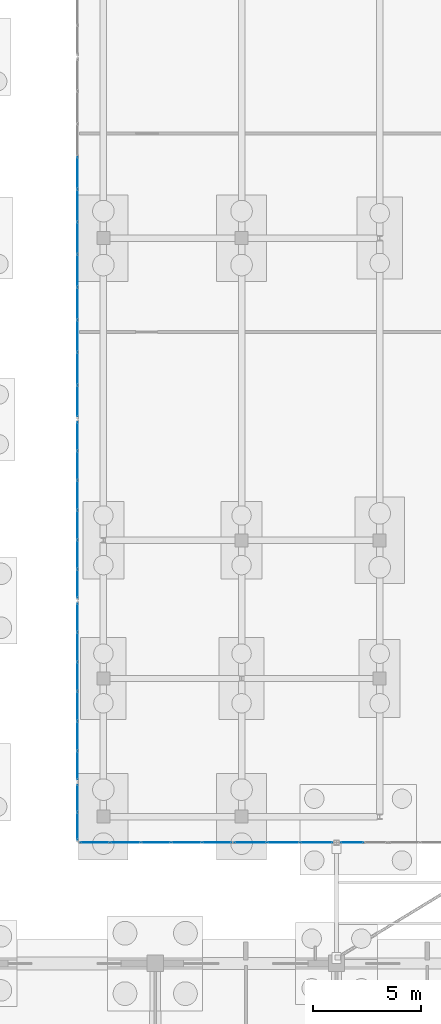
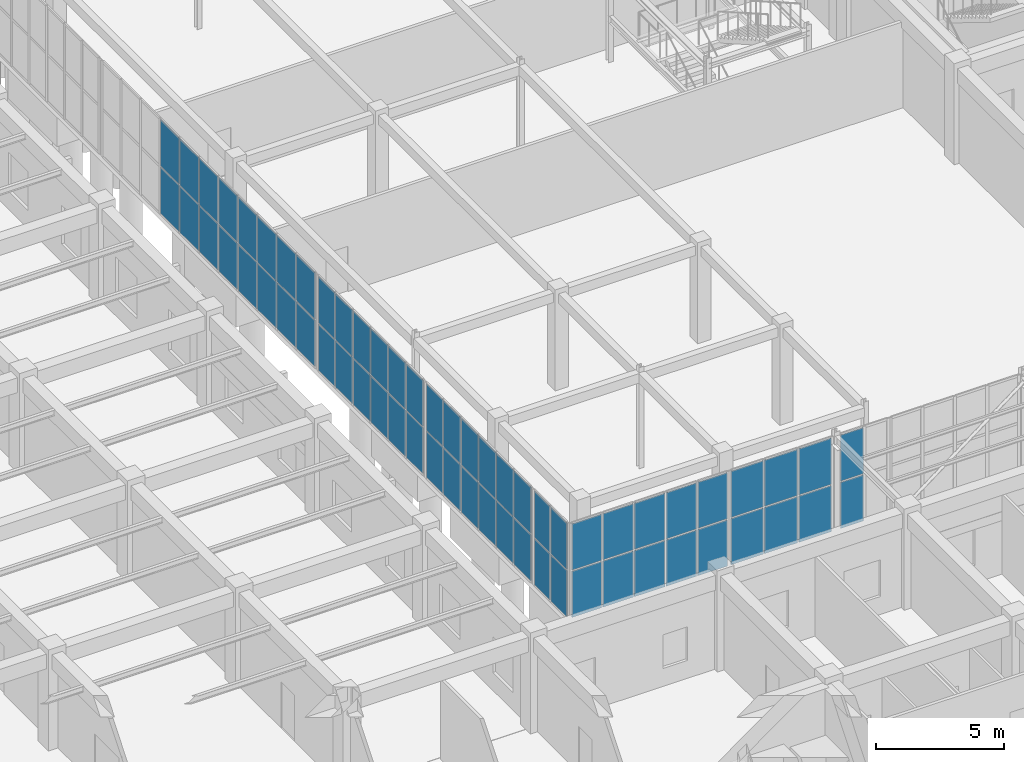
# One storey, part 136 of 192: 62 plates, 7 elements without a shape of their own.
"""IFC4 building model written with IfcOpenShell, lengths in metres."""

from ifc_helpers import new_model, si_unit, direction, frame, origin, origin_2d, place, context, subcontext, project, spatial, rectangle, extrude, material, layer, layer_set, type_object, element, aggregate, save


model = new_model("IFC4")

# Units and contexts
model_context = context("Model", 3, precision=1e-05, world=origin(), true_north=direction((0.0, 1.0)))
body_context = subcontext(model_context, "Body", "Model", "MODEL_VIEW")
ifc_project = project(units=[si_unit("LENGTHUNIT", "METRE"), si_unit("AREAUNIT", "SQUARE_METRE"), si_unit("VOLUMEUNIT", "CUBIC_METRE"), si_unit("PLANEANGLEUNIT", "RADIAN"), si_unit("MASSUNIT", "GRAM", prefix="KILO")], contexts=[model_context])

# Site, building, storey
site_placement = place(None, origin())
site = spatial("IfcSite", under=ifc_project, at=site_placement, CompositionType="ELEMENT")
building_placement = place(site_placement, origin())
building = spatial("IfcBuilding", under=site, at=building_placement, Name="Trelvath General Hospital", CompositionType="ELEMENT")
storey_placement = place(building_placement, origin())
storey = spatial("IfcBuildingStorey", under=building, at=storey_placement, Name="L00", CompositionType="ELEMENT", Elevation=0.0)

# Curtain wall, plates
ifc_material_1 = material(Name="Anodised aluminium and low-E glass", Category="aluminium")
ifc_layer_1 = layer(ifc_material_1, 0.139892578125)
ifc_layer_set_1 = layer_set([ifc_layer_1], Name="Anodised aluminium and low-E glass")
curtain_wall_type_1 = type_object("IfcCurtainWallType", Name="CW CrystalCube 710 456 14", PredefinedType="USERDEFINED", material=ifc_layer_set_1)
curtain_wall_1_placement = place(storey_placement, origin())
curtain_wall_1 = element("IfcCurtainWall", 1, at=curtain_wall_1_placement, inside=storey, type_object=curtain_wall_type_1, Name="Crystal Cube Curtain Wall CUBE-W-T0 S1 L00", ObjectType="Unitised Glazed Curtain Wall", PredefinedType="USERDEFINED")
ifc_material_2 = material(Name="Low-E laminated glass", Category="glass")
ifc_layer_2 = layer(ifc_material_2, 0.028076171875)
ifc_layer_set_2 = layer_set([ifc_layer_2], Name="Low-E laminated glass")
plate_type = type_object("IfcPlateType", Name="CurtainPanel Glass28", PredefinedType="CURTAIN_PANEL", material=ifc_layer_set_2)
plate_1_placement = place(storey_placement, frame((53.2548828125, 30.800048828125, 0.06005859375), z_axis=(0.0, 0.0, 1.0), x_axis=(-1.0, 0.0, 0.0)))
plate_1 = element("IfcPlate", 2, at=plate_1_placement, type_object=plate_type, Name="CW-084 panel 1.1", PredefinedType="CURTAIN_PANEL", context=body_context, shape_type="SweptSolid", body=[
    extrude(rectangle(XDim=1.330078125, YDim=0.028076171875, at=origin_2d()), origin(), (0.0, 0.0, 1.0), 2.18994140625),
])
plate_2_placement = place(storey_placement, frame((53.2548828125, 30.800048828125, 2.31005859375), z_axis=(0.0, 0.0, 1.0), x_axis=(-1.0, 0.0, 0.0)))
plate_2 = element("IfcPlate", 3, at=plate_2_placement, type_object=plate_type, Name="CW-084 panel 1.2", PredefinedType="CURTAIN_PANEL", context=body_context, shape_type="SweptSolid", body=[
    extrude(rectangle(XDim=1.330078125, YDim=0.028076171875, at=origin_2d()), origin(), (0.0, 0.0, 1.0), 2.18994140625),
])
plate_3_placement = place(storey_placement, frame((51.85009765625, 30.800048828125, 0.06005859375), z_axis=(0.0, 0.0, 1.0), x_axis=(-1.0, 0.0, 0.0)))
plate_3 = element("IfcPlate", 4, at=plate_3_placement, type_object=plate_type, Name="CW-084 panel 2.1", PredefinedType="CURTAIN_PANEL", context=body_context, shape_type="SweptSolid", body=[
    extrude(rectangle(XDim=1.360107421875, YDim=0.028076171875, at=origin_2d()), origin(), (0.0, 0.0, 1.0), 2.18994140625),
])
plate_4_placement = place(storey_placement, frame((51.85009765625, 30.800048828125, 2.31005859375), z_axis=(0.0, 0.0, 1.0), x_axis=(-1.0, 0.0, 0.0)))
plate_4 = element("IfcPlate", 5, at=plate_4_placement, type_object=plate_type, Name="CW-084 panel 2.2", PredefinedType="CURTAIN_PANEL", context=body_context, shape_type="SweptSolid", body=[
    extrude(rectangle(XDim=1.360107421875, YDim=0.028076171875, at=origin_2d()), origin(), (0.0, 0.0, 1.0), 2.18994140625),
])
plate_5_placement = place(storey_placement, frame((50.429931640625, 30.800048828125, 0.06005859375), z_axis=(0.0, 0.0, 1.0), x_axis=(-1.0, 0.0, 0.0)))
plate_5 = element("IfcPlate", 6, at=plate_5_placement, type_object=plate_type, Name="CW-084 panel 3.1", PredefinedType="CURTAIN_PANEL", context=body_context, shape_type="SweptSolid", body=[
    extrude(rectangle(XDim=1.360107421875, YDim=0.028076171875, at=origin_2d()), origin(), (0.0, 0.0, 1.0), 2.18994140625),
])
plate_6_placement = place(storey_placement, frame((50.429931640625, 30.800048828125, 2.31005859375), z_axis=(0.0, 0.0, 1.0), x_axis=(-1.0, 0.0, 0.0)))
plate_6 = element("IfcPlate", 7, at=plate_6_placement, type_object=plate_type, Name="CW-084 panel 3.2", PredefinedType="CURTAIN_PANEL", context=body_context, shape_type="SweptSolid", body=[
    extrude(rectangle(XDim=1.360107421875, YDim=0.028076171875, at=origin_2d()), origin(), (0.0, 0.0, 1.0), 2.18994140625),
])
plate_7_placement = place(storey_placement, frame((49.010009765625, 30.800048828125, 0.06005859375), z_axis=(0.0, 0.0, 1.0), x_axis=(-1.0, 0.0, 0.0)))
plate_7 = element("IfcPlate", 8, at=plate_7_placement, type_object=plate_type, Name="CW-084 panel 4.1", PredefinedType="CURTAIN_PANEL", context=body_context, shape_type="SweptSolid", body=[
    extrude(rectangle(XDim=1.360107421875, YDim=0.028076171875, at=origin_2d()), origin(), (0.0, 0.0, 1.0), 2.18994140625),
])
plate_8_placement = place(storey_placement, frame((49.010009765625, 30.800048828125, 2.31005859375), z_axis=(0.0, 0.0, 1.0), x_axis=(-1.0, 0.0, 0.0)))
plate_8 = element("IfcPlate", 9, at=plate_8_placement, type_object=plate_type, Name="CW-084 panel 4.2", PredefinedType="CURTAIN_PANEL", context=body_context, shape_type="SweptSolid", body=[
    extrude(rectangle(XDim=1.360107421875, YDim=0.028076171875, at=origin_2d()), origin(), (0.0, 0.0, 1.0), 2.18994140625),
])
plate_9_placement = place(storey_placement, frame((47.60498046875, 30.800048828125, 0.06005859375), z_axis=(0.0, 0.0, 1.0), x_axis=(-1.0, 0.0, 0.0)))
plate_9 = element("IfcPlate", 10, at=plate_9_placement, type_object=plate_type, Name="CW-084 panel 5.1", PredefinedType="CURTAIN_PANEL", context=body_context, shape_type="SweptSolid", body=[
    extrude(rectangle(XDim=1.330078125, YDim=0.028076171875, at=origin_2d()), origin(), (0.0, 0.0, 1.0), 2.18994140625),
])
plate_10_placement = place(storey_placement, frame((47.60498046875, 30.800048828125, 2.31005859375), z_axis=(0.0, 0.0, 1.0), x_axis=(-1.0, 0.0, 0.0)))
plate_10 = element("IfcPlate", 11, at=plate_10_placement, type_object=plate_type, Name="CW-084 panel 5.2", PredefinedType="CURTAIN_PANEL", context=body_context, shape_type="SweptSolid", body=[
    extrude(rectangle(XDim=1.330078125, YDim=0.028076171875, at=origin_2d()), origin(), (0.0, 0.0, 1.0), 2.18994140625),
])
aggregate(curtain_wall_1, [plate_1, plate_2, plate_3, plate_4, plate_5, plate_6, plate_7, plate_8, plate_9, plate_10])

ifc_material_3 = material(Name="Anodised aluminium and low-E glass", Category="aluminium")
ifc_layer_3 = layer(ifc_material_3, 0.139892578125)
ifc_layer_set_3 = layer_set([ifc_layer_3], Name="Anodised aluminium and low-E glass")
curtain_wall_type_2 = type_object("IfcCurtainWallType", Name="CW CrystalCube 463 456 14", PredefinedType="USERDEFINED", material=ifc_layer_set_3)
curtain_wall_2_placement = place(storey_placement, origin())
curtain_wall_2 = element("IfcCurtainWall", 12, at=curtain_wall_2_placement, inside=storey, type_object=curtain_wall_type_2, Name="Crystal Cube Curtain Wall CUBE-W-T0 S2 L00", ObjectType="Unitised Glazed Curtain Wall", PredefinedType="USERDEFINED")
plate_11_placement = place(storey_placement, frame((57.86328125, 30.800048828125, 0.06005859375), z_axis=(0.0, 0.0, 1.0), x_axis=(-1.0, 0.0, 0.0)))
plate_11 = element("IfcPlate", 13, at=plate_11_placement, type_object=plate_type, Name="CW-085 panel 1.1", PredefinedType="CURTAIN_PANEL", context=body_context, shape_type="SweptSolid", body=[
    extrude(rectangle(XDim=1.453369140625, YDim=0.028076171875, at=origin_2d()), origin(), (0.0, 0.0, 1.0), 2.18994140625),
])
plate_12_placement = place(storey_placement, frame((57.86328125, 30.800048828125, 2.31005859375), z_axis=(0.0, 0.0, 1.0), x_axis=(-1.0, 0.0, 0.0)))
plate_12 = element("IfcPlate", 14, at=plate_12_placement, type_object=plate_type, Name="CW-085 panel 1.2", PredefinedType="CURTAIN_PANEL", context=body_context, shape_type="SweptSolid", body=[
    extrude(rectangle(XDim=1.453369140625, YDim=0.028076171875, at=origin_2d()), origin(), (0.0, 0.0, 1.0), 2.18994140625),
])
plate_13_placement = place(storey_placement, frame((56.3349609375, 30.800048828125, 0.06005859375), z_axis=(0.0, 0.0, 1.0), x_axis=(-1.0, 0.0, 0.0)))
plate_13 = element("IfcPlate", 15, at=plate_13_placement, type_object=plate_type, Name="CW-085 panel 2.1", PredefinedType="CURTAIN_PANEL", context=body_context, shape_type="SweptSolid", body=[
    extrude(rectangle(XDim=1.4833984375, YDim=0.028076171875, at=origin_2d()), origin(), (0.0, 0.0, 1.0), 2.18994140625),
])
plate_14_placement = place(storey_placement, frame((56.3349609375, 30.800048828125, 2.31005859375), z_axis=(0.0, 0.0, 1.0), x_axis=(-1.0, 0.0, 0.0)))
plate_14 = element("IfcPlate", 16, at=plate_14_placement, type_object=plate_type, Name="CW-085 panel 2.2", PredefinedType="CURTAIN_PANEL", context=body_context, shape_type="SweptSolid", body=[
    extrude(rectangle(XDim=1.4833984375, YDim=0.028076171875, at=origin_2d()), origin(), (0.0, 0.0, 1.0), 2.18994140625),
])
plate_15_placement = place(storey_placement, frame((54.806640625, 30.800048828125, 0.06005859375), z_axis=(0.0, 0.0, 1.0), x_axis=(-1.0, 0.0, 0.0)))
plate_15 = element("IfcPlate", 17, at=plate_15_placement, type_object=plate_type, Name="CW-085 panel 3.1", PredefinedType="CURTAIN_PANEL", context=body_context, shape_type="SweptSolid", body=[
    extrude(rectangle(XDim=1.453369140625, YDim=0.028076171875, at=origin_2d()), origin(), (0.0, 0.0, 1.0), 2.18994140625),
])
plate_16_placement = place(storey_placement, frame((54.806640625, 30.800048828125, 2.31005859375), z_axis=(0.0, 0.0, 1.0), x_axis=(-1.0, 0.0, 0.0)))
plate_16 = element("IfcPlate", 18, at=plate_16_placement, type_object=plate_type, Name="CW-085 panel 3.2", PredefinedType="CURTAIN_PANEL", context=body_context, shape_type="SweptSolid", body=[
    extrude(rectangle(XDim=1.453369140625, YDim=0.028076171875, at=origin_2d()), origin(), (0.0, 0.0, 1.0), 2.18994140625),
])
aggregate(curtain_wall_2, [plate_11, plate_12, plate_13, plate_14, plate_15, plate_16])

ifc_material_4 = material(Name="Anodised aluminium and low-E glass", Category="aluminium")
ifc_layer_4 = layer(ifc_material_4, 0.139892578125)
ifc_layer_set_4 = layer_set([ifc_layer_4], Name="Anodised aluminium and low-E glass")
curtain_wall_type_3 = type_object("IfcCurtainWallType", Name="CW CrystalCube 223 456 14", PredefinedType="USERDEFINED", material=ifc_layer_set_4)
curtain_wall_3_placement = place(storey_placement, origin())
curtain_wall_3 = element("IfcCurtainWall", 19, at=curtain_wall_3_placement, inside=storey, type_object=curtain_wall_type_3, Name="Crystal Cube Curtain Wall CUBE-W-T0 S3 L00", ObjectType="Unitised Glazed Curtain Wall", PredefinedType="USERDEFINED")
plate_17_placement = place(storey_placement, frame((59.5224609375, 30.800048828125, 0.06005859375), z_axis=(0.0, 0.0, 1.0), x_axis=(-1.0, 0.0, 0.0)))
plate_17 = element("IfcPlate", 20, at=plate_17_placement, type_object=plate_type, Name="CW-086 panel 2.1", PredefinedType="CURTAIN_PANEL", context=body_context, shape_type="SweptSolid", body=[
    extrude(rectangle(XDim=1.02490234375, YDim=0.028076171875, at=origin_2d()), origin(), (0.0, 0.0, 1.0), 2.18994140625),
])
plate_18_placement = place(storey_placement, frame((59.5224609375, 30.800048828125, 2.31005859375), z_axis=(0.0, 0.0, 1.0), x_axis=(-1.0, 0.0, 0.0)))
plate_18 = element("IfcPlate", 21, at=plate_18_placement, type_object=plate_type, Name="CW-086 panel 2.2", PredefinedType="CURTAIN_PANEL", context=body_context, shape_type="SweptSolid", body=[
    extrude(rectangle(XDim=1.02490234375, YDim=0.028076171875, at=origin_2d()), origin(), (0.0, 0.0, 1.0), 2.18994140625),
])
aggregate(curtain_wall_3, [plate_17, plate_18])

ifc_material_5 = material(Name="Anodised aluminium and low-E glass", Category="aluminium")
ifc_layer_5 = layer(ifc_material_5, 0.139892578125)
ifc_layer_set_5 = layer_set([ifc_layer_5], Name="Anodised aluminium and low-E glass")
curtain_wall_type_4 = type_object("IfcCurtainWallType", Name="CW CrystalCube 264 456 14", PredefinedType="USERDEFINED", material=ifc_layer_set_5)
curtain_wall_4_placement = place(storey_placement, origin())
curtain_wall_4 = element("IfcCurtainWall", 22, at=curtain_wall_4_placement, inside=storey, type_object=curtain_wall_type_4, Name="Crystal Cube Curtain Wall CUBE-W-T0 W1 L00", ObjectType="Unitised Glazed Curtain Wall", PredefinedType="USERDEFINED")
plate_19_placement = place(storey_placement, frame((46.800048828125, 31.554931640625, 0.06005859375), z_axis=(0.0, 0.0, 1.0), x_axis=(0.0, 1.0, 0.0)))
plate_19 = element("IfcPlate", 23, at=plate_19_placement, type_object=plate_type, Name="CW-094 panel 1.1", PredefinedType="CURTAIN_PANEL", context=body_context, shape_type="SweptSolid", body=[
    extrude(rectangle(XDim=1.22998046875, YDim=0.028076171875, at=origin_2d()), origin(), (0.0, 0.0, 1.0), 2.18994140625),
])
plate_20_placement = place(storey_placement, frame((46.800048828125, 31.554931640625, 2.31005859375), z_axis=(0.0, 0.0, 1.0), x_axis=(0.0, 1.0, 0.0)))
plate_20 = element("IfcPlate", 24, at=plate_20_placement, type_object=plate_type, Name="CW-094 panel 1.2", PredefinedType="CURTAIN_PANEL", context=body_context, shape_type="SweptSolid", body=[
    extrude(rectangle(XDim=1.22998046875, YDim=0.028076171875, at=origin_2d()), origin(), (0.0, 0.0, 1.0), 2.18994140625),
])
plate_21_placement = place(storey_placement, frame((46.800048828125, 32.844970703125, 0.06005859375), z_axis=(0.0, 0.0, 1.0), x_axis=(0.0, 1.0, 0.0)))
plate_21 = element("IfcPlate", 25, at=plate_21_placement, type_object=plate_type, Name="CW-094 panel 2.1", PredefinedType="CURTAIN_PANEL", context=body_context, shape_type="SweptSolid", body=[
    extrude(rectangle(XDim=1.22998046875, YDim=0.028076171875, at=origin_2d()), origin(), (0.0, 0.0, 1.0), 2.18994140625),
])
plate_22_placement = place(storey_placement, frame((46.800048828125, 32.844970703125, 2.31005859375), z_axis=(0.0, 0.0, 1.0), x_axis=(0.0, 1.0, 0.0)))
plate_22 = element("IfcPlate", 26, at=plate_22_placement, type_object=plate_type, Name="CW-094 panel 2.2", PredefinedType="CURTAIN_PANEL", context=body_context, shape_type="SweptSolid", body=[
    extrude(rectangle(XDim=1.22998046875, YDim=0.028076171875, at=origin_2d()), origin(), (0.0, 0.0, 1.0), 2.18994140625),
])
aggregate(curtain_wall_4, [plate_19, plate_20, plate_21, plate_22])

ifc_material_6 = material(Name="Anodised aluminium and low-E glass", Category="aluminium")
ifc_layer_6 = layer(ifc_material_6, 0.139892578125)
ifc_layer_set_6 = layer_set([ifc_layer_6], Name="Anodised aluminium and low-E glass")
curtain_wall_type_5 = type_object("IfcCurtainWallType", Name="CW CrystalCube 824 456 14", PredefinedType="USERDEFINED", material=ifc_layer_set_6)
curtain_wall_5_placement = place(storey_placement, origin())
curtain_wall_5 = element("IfcCurtainWall", 27, at=curtain_wall_5_placement, inside=storey, type_object=curtain_wall_type_5, Name="Crystal Cube Curtain Wall CUBE-W-T0 W2 L00", ObjectType="Unitised Glazed Curtain Wall", PredefinedType="USERDEFINED")
plate_23_placement = place(storey_placement, frame((46.800048828125, 34.381591796875, 0.06005859375), z_axis=(0.0, 0.0, 1.0), x_axis=(0.0, 1.0, 0.0)))
plate_23 = element("IfcPlate", 28, at=plate_23_placement, type_object=plate_type, Name="CW-096 panel 1.1", PredefinedType="CURTAIN_PANEL", context=body_context, shape_type="SweptSolid", body=[
    extrude(rectangle(XDim=1.283447265625, YDim=0.028076171875, at=origin_2d()), origin(), (0.0, 0.0, 1.0), 2.18994140625),
])
plate_24_placement = place(storey_placement, frame((46.800048828125, 34.381591796875, 2.31005859375), z_axis=(0.0, 0.0, 1.0), x_axis=(0.0, 1.0, 0.0)))
plate_24 = element("IfcPlate", 29, at=plate_24_placement, type_object=plate_type, Name="CW-096 panel 1.2", PredefinedType="CURTAIN_PANEL", context=body_context, shape_type="SweptSolid", body=[
    extrude(rectangle(XDim=1.283447265625, YDim=0.028076171875, at=origin_2d()), origin(), (0.0, 0.0, 1.0), 2.18994140625),
])
plate_25_placement = place(storey_placement, frame((46.800048828125, 35.739990234375, 0.06005859375), z_axis=(0.0, 0.0, 1.0), x_axis=(0.0, 1.0, 0.0)))
plate_25 = element("IfcPlate", 30, at=plate_25_placement, type_object=plate_type, Name="CW-096 panel 2.1", PredefinedType="CURTAIN_PANEL", context=body_context, shape_type="SweptSolid", body=[
    extrude(rectangle(XDim=1.313232421875, YDim=0.028076171875, at=origin_2d()), origin(), (0.0, 0.0, 1.0), 2.18994140625),
])
plate_26_placement = place(storey_placement, frame((46.800048828125, 35.739990234375, 2.31005859375), z_axis=(0.0, 0.0, 1.0), x_axis=(0.0, 1.0, 0.0)))
plate_26 = element("IfcPlate", 31, at=plate_26_placement, type_object=plate_type, Name="CW-096 panel 2.2", PredefinedType="CURTAIN_PANEL", context=body_context, shape_type="SweptSolid", body=[
    extrude(rectangle(XDim=1.313232421875, YDim=0.028076171875, at=origin_2d()), origin(), (0.0, 0.0, 1.0), 2.18994140625),
])
plate_27_placement = place(storey_placement, frame((46.800048828125, 37.11328125, 0.06005859375), z_axis=(0.0, 0.0, 1.0), x_axis=(0.0, 1.0, 0.0)))
plate_27 = element("IfcPlate", 32, at=plate_27_placement, type_object=plate_type, Name="CW-096 panel 3.1", PredefinedType="CURTAIN_PANEL", context=body_context, shape_type="SweptSolid", body=[
    extrude(rectangle(XDim=1.313232421875, YDim=0.028076171875, at=origin_2d()), origin(), (0.0, 0.0, 1.0), 2.18994140625),
])
plate_28_placement = place(storey_placement, frame((46.800048828125, 37.11328125, 2.31005859375), z_axis=(0.0, 0.0, 1.0), x_axis=(0.0, 1.0, 0.0)))
plate_28 = element("IfcPlate", 33, at=plate_28_placement, type_object=plate_type, Name="CW-096 panel 3.2", PredefinedType="CURTAIN_PANEL", context=body_context, shape_type="SweptSolid", body=[
    extrude(rectangle(XDim=1.313232421875, YDim=0.028076171875, at=origin_2d()), origin(), (0.0, 0.0, 1.0), 2.18994140625),
])
plate_29_placement = place(storey_placement, frame((46.800048828125, 38.486572265625, 0.06005859375), z_axis=(0.0, 0.0, 1.0), x_axis=(0.0, 1.0, 0.0)))
plate_29 = element("IfcPlate", 34, at=plate_29_placement, type_object=plate_type, Name="CW-096 panel 4.1", PredefinedType="CURTAIN_PANEL", context=body_context, shape_type="SweptSolid", body=[
    extrude(rectangle(XDim=1.313232421875, YDim=0.028076171875, at=origin_2d()), origin(), (0.0, 0.0, 1.0), 2.18994140625),
])
plate_30_placement = place(storey_placement, frame((46.800048828125, 38.486572265625, 2.31005859375), z_axis=(0.0, 0.0, 1.0), x_axis=(0.0, 1.0, 0.0)))
plate_30 = element("IfcPlate", 35, at=plate_30_placement, type_object=plate_type, Name="CW-096 panel 4.2", PredefinedType="CURTAIN_PANEL", context=body_context, shape_type="SweptSolid", body=[
    extrude(rectangle(XDim=1.313232421875, YDim=0.028076171875, at=origin_2d()), origin(), (0.0, 0.0, 1.0), 2.18994140625),
])
plate_31_placement = place(storey_placement, frame((46.800048828125, 39.860107421875, 0.06005859375), z_axis=(0.0, 0.0, 1.0), x_axis=(0.0, 1.0, 0.0)))
plate_31 = element("IfcPlate", 36, at=plate_31_placement, type_object=plate_type, Name="CW-096 panel 5.1", PredefinedType="CURTAIN_PANEL", context=body_context, shape_type="SweptSolid", body=[
    extrude(rectangle(XDim=1.313232421875, YDim=0.028076171875, at=origin_2d()), origin(), (0.0, 0.0, 1.0), 2.18994140625),
])
plate_32_placement = place(storey_placement, frame((46.800048828125, 39.860107421875, 2.31005859375), z_axis=(0.0, 0.0, 1.0), x_axis=(0.0, 1.0, 0.0)))
plate_32 = element("IfcPlate", 37, at=plate_32_placement, type_object=plate_type, Name="CW-096 panel 5.2", PredefinedType="CURTAIN_PANEL", context=body_context, shape_type="SweptSolid", body=[
    extrude(rectangle(XDim=1.313232421875, YDim=0.028076171875, at=origin_2d()), origin(), (0.0, 0.0, 1.0), 2.18994140625),
])
plate_33_placement = place(storey_placement, frame((46.800048828125, 41.21826171875, 0.06005859375), z_axis=(0.0, 0.0, 1.0), x_axis=(0.0, 1.0, 0.0)))
plate_33 = element("IfcPlate", 38, at=plate_33_placement, type_object=plate_type, Name="CW-096 panel 6.1", PredefinedType="CURTAIN_PANEL", context=body_context, shape_type="SweptSolid", body=[
    extrude(rectangle(XDim=1.283447265625, YDim=0.028076171875, at=origin_2d()), origin(), (0.0, 0.0, 1.0), 2.18994140625),
])
plate_34_placement = place(storey_placement, frame((46.800048828125, 41.21826171875, 2.31005859375), z_axis=(0.0, 0.0, 1.0), x_axis=(0.0, 1.0, 0.0)))
plate_34 = element("IfcPlate", 39, at=plate_34_placement, type_object=plate_type, Name="CW-096 panel 6.2", PredefinedType="CURTAIN_PANEL", context=body_context, shape_type="SweptSolid", body=[
    extrude(rectangle(XDim=1.283447265625, YDim=0.028076171875, at=origin_2d()), origin(), (0.0, 0.0, 1.0), 2.18994140625),
])
aggregate(curtain_wall_5, [plate_23, plate_24, plate_25, plate_26, plate_27, plate_28, plate_29, plate_30, plate_31, plate_32, plate_33, plate_34])

curtain_wall_6_placement = place(storey_placement, origin())
curtain_wall_6 = element("IfcCurtainWall", 40, at=curtain_wall_6_placement, inside=storey, type_object=curtain_wall_type_5, Name="Crystal Cube Curtain Wall CUBE-W-T0 W3 L00", ObjectType="Unitised Glazed Curtain Wall", PredefinedType="USERDEFINED")
plate_35_placement = place(storey_placement, frame((46.800048828125, 42.78173828125, 0.06005859375), z_axis=(0.0, 0.0, 1.0), x_axis=(0.0, 1.0, 0.0)))
plate_35 = element("IfcPlate", 41, at=plate_35_placement, type_object=plate_type, Name="CW-098 panel 1.1", PredefinedType="CURTAIN_PANEL", context=body_context, shape_type="SweptSolid", body=[
    extrude(rectangle(XDim=1.283447265625, YDim=0.028076171875, at=origin_2d()), origin(), (0.0, 0.0, 1.0), 2.18994140625),
])
plate_36_placement = place(storey_placement, frame((46.800048828125, 42.78173828125, 2.31005859375), z_axis=(0.0, 0.0, 1.0), x_axis=(0.0, 1.0, 0.0)))
plate_36 = element("IfcPlate", 42, at=plate_36_placement, type_object=plate_type, Name="CW-098 panel 1.2", PredefinedType="CURTAIN_PANEL", context=body_context, shape_type="SweptSolid", body=[
    extrude(rectangle(XDim=1.283447265625, YDim=0.028076171875, at=origin_2d()), origin(), (0.0, 0.0, 1.0), 2.18994140625),
])
plate_37_placement = place(storey_placement, frame((46.800048828125, 44.139892578125, 0.06005859375), z_axis=(0.0, 0.0, 1.0), x_axis=(0.0, 1.0, 0.0)))
plate_37 = element("IfcPlate", 43, at=plate_37_placement, type_object=plate_type, Name="CW-098 panel 2.1", PredefinedType="CURTAIN_PANEL", context=body_context, shape_type="SweptSolid", body=[
    extrude(rectangle(XDim=1.313232421875, YDim=0.028076171875, at=origin_2d()), origin(), (0.0, 0.0, 1.0), 2.18994140625),
])
plate_38_placement = place(storey_placement, frame((46.800048828125, 44.139892578125, 2.31005859375), z_axis=(0.0, 0.0, 1.0), x_axis=(0.0, 1.0, 0.0)))
plate_38 = element("IfcPlate", 44, at=plate_38_placement, type_object=plate_type, Name="CW-098 panel 2.2", PredefinedType="CURTAIN_PANEL", context=body_context, shape_type="SweptSolid", body=[
    extrude(rectangle(XDim=1.313232421875, YDim=0.028076171875, at=origin_2d()), origin(), (0.0, 0.0, 1.0), 2.18994140625),
])
plate_39_placement = place(storey_placement, frame((46.800048828125, 45.513427734375, 0.06005859375), z_axis=(0.0, 0.0, 1.0), x_axis=(0.0, 1.0, 0.0)))
plate_39 = element("IfcPlate", 45, at=plate_39_placement, type_object=plate_type, Name="CW-098 panel 3.1", PredefinedType="CURTAIN_PANEL", context=body_context, shape_type="SweptSolid", body=[
    extrude(rectangle(XDim=1.313232421875, YDim=0.028076171875, at=origin_2d()), origin(), (0.0, 0.0, 1.0), 2.18994140625),
])
plate_40_placement = place(storey_placement, frame((46.800048828125, 45.513427734375, 2.31005859375), z_axis=(0.0, 0.0, 1.0), x_axis=(0.0, 1.0, 0.0)))
plate_40 = element("IfcPlate", 46, at=plate_40_placement, type_object=plate_type, Name="CW-098 panel 3.2", PredefinedType="CURTAIN_PANEL", context=body_context, shape_type="SweptSolid", body=[
    extrude(rectangle(XDim=1.313232421875, YDim=0.028076171875, at=origin_2d()), origin(), (0.0, 0.0, 1.0), 2.18994140625),
])
plate_41_placement = place(storey_placement, frame((46.800048828125, 46.88671875, 0.06005859375), z_axis=(0.0, 0.0, 1.0), x_axis=(0.0, 1.0, 0.0)))
plate_41 = element("IfcPlate", 47, at=plate_41_placement, type_object=plate_type, Name="CW-098 panel 4.1", PredefinedType="CURTAIN_PANEL", context=body_context, shape_type="SweptSolid", body=[
    extrude(rectangle(XDim=1.313232421875, YDim=0.028076171875, at=origin_2d()), origin(), (0.0, 0.0, 1.0), 2.18994140625),
])
plate_42_placement = place(storey_placement, frame((46.800048828125, 46.88671875, 2.31005859375), z_axis=(0.0, 0.0, 1.0), x_axis=(0.0, 1.0, 0.0)))
plate_42 = element("IfcPlate", 48, at=plate_42_placement, type_object=plate_type, Name="CW-098 panel 4.2", PredefinedType="CURTAIN_PANEL", context=body_context, shape_type="SweptSolid", body=[
    extrude(rectangle(XDim=1.313232421875, YDim=0.028076171875, at=origin_2d()), origin(), (0.0, 0.0, 1.0), 2.18994140625),
])
plate_43_placement = place(storey_placement, frame((46.800048828125, 48.260009765625, 0.06005859375), z_axis=(0.0, 0.0, 1.0), x_axis=(0.0, 1.0, 0.0)))
plate_43 = element("IfcPlate", 49, at=plate_43_placement, type_object=plate_type, Name="CW-098 panel 5.1", PredefinedType="CURTAIN_PANEL", context=body_context, shape_type="SweptSolid", body=[
    extrude(rectangle(XDim=1.313232421875, YDim=0.028076171875, at=origin_2d()), origin(), (0.0, 0.0, 1.0), 2.18994140625),
])
plate_44_placement = place(storey_placement, frame((46.800048828125, 48.260009765625, 2.31005859375), z_axis=(0.0, 0.0, 1.0), x_axis=(0.0, 1.0, 0.0)))
plate_44 = element("IfcPlate", 50, at=plate_44_placement, type_object=plate_type, Name="CW-098 panel 5.2", PredefinedType="CURTAIN_PANEL", context=body_context, shape_type="SweptSolid", body=[
    extrude(rectangle(XDim=1.313232421875, YDim=0.028076171875, at=origin_2d()), origin(), (0.0, 0.0, 1.0), 2.18994140625),
])
plate_45_placement = place(storey_placement, frame((46.800048828125, 49.618408203125, 0.06005859375), z_axis=(0.0, 0.0, 1.0), x_axis=(0.0, 1.0, 0.0)))
plate_45 = element("IfcPlate", 51, at=plate_45_placement, type_object=plate_type, Name="CW-098 panel 6.1", PredefinedType="CURTAIN_PANEL", context=body_context, shape_type="SweptSolid", body=[
    extrude(rectangle(XDim=1.283447265625, YDim=0.028076171875, at=origin_2d()), origin(), (0.0, 0.0, 1.0), 2.18994140625),
])
plate_46_placement = place(storey_placement, frame((46.800048828125, 49.618408203125, 2.31005859375), z_axis=(0.0, 0.0, 1.0), x_axis=(0.0, 1.0, 0.0)))
plate_46 = element("IfcPlate", 52, at=plate_46_placement, type_object=plate_type, Name="CW-098 panel 6.2", PredefinedType="CURTAIN_PANEL", context=body_context, shape_type="SweptSolid", body=[
    extrude(rectangle(XDim=1.283447265625, YDim=0.028076171875, at=origin_2d()), origin(), (0.0, 0.0, 1.0), 2.18994140625),
])
aggregate(curtain_wall_6, [plate_35, plate_36, plate_37, plate_38, plate_39, plate_40, plate_41, plate_42, plate_43, plate_44, plate_45, plate_46])

ifc_material_7 = material(Name="Anodised aluminium and low-E glass", Category="aluminium")
ifc_layer_7 = layer(ifc_material_7, 0.139892578125)
ifc_layer_set_7 = layer_set([ifc_layer_7], Name="Anodised aluminium and low-E glass")
curtain_wall_type_6 = type_object("IfcCurtainWallType", Name="CW CrystalCube 1664 456 14", PredefinedType="USERDEFINED", material=ifc_layer_set_7)
curtain_wall_7_placement = place(storey_placement, origin())
curtain_wall_7 = element("IfcCurtainWall", 53, at=curtain_wall_7_placement, inside=storey, type_object=curtain_wall_type_6, Name="Crystal Cube Curtain Wall CUBE-W-T0 W4 L00", ObjectType="Unitised Glazed Curtain Wall", PredefinedType="USERDEFINED")
plate_47_placement = place(storey_placement, frame((46.800048828125, 51.25146484375, 0.06005859375), z_axis=(0.0, 0.0, 1.0), x_axis=(0.0, 1.0, 0.0)))
plate_47 = element("IfcPlate", 54, at=plate_47_placement, type_object=plate_type, Name="CW-099 panel 1.1", PredefinedType="CURTAIN_PANEL", context=body_context, shape_type="SweptSolid", body=[
    extrude(rectangle(XDim=1.422607421875, YDim=0.028076171875, at=origin_2d()), origin(), (0.0, 0.0, 1.0), 2.18994140625),
])
plate_48_placement = place(storey_placement, frame((46.800048828125, 51.25146484375, 2.31005859375), z_axis=(0.0, 0.0, 1.0), x_axis=(0.0, 1.0, 0.0)))
plate_48 = element("IfcPlate", 55, at=plate_48_placement, type_object=plate_type, Name="CW-099 panel 1.2", PredefinedType="CURTAIN_PANEL", context=body_context, shape_type="SweptSolid", body=[
    extrude(rectangle(XDim=1.422607421875, YDim=0.028076171875, at=origin_2d()), origin(), (0.0, 0.0, 1.0), 2.18994140625),
])
plate_49_placement = place(storey_placement, frame((46.800048828125, 52.7490234375, 0.06005859375), z_axis=(0.0, 0.0, 1.0), x_axis=(0.0, 1.0, 0.0)))
plate_49 = element("IfcPlate", 56, at=plate_49_placement, type_object=plate_type, Name="CW-099 panel 2.1", PredefinedType="CURTAIN_PANEL", context=body_context, shape_type="SweptSolid", body=[
    extrude(rectangle(XDim=1.45263671875, YDim=0.028076171875, at=origin_2d()), origin(), (0.0, 0.0, 1.0), 2.18994140625),
])
plate_50_placement = place(storey_placement, frame((46.800048828125, 52.7490234375, 2.31005859375), z_axis=(0.0, 0.0, 1.0), x_axis=(0.0, 1.0, 0.0)))
plate_50 = element("IfcPlate", 57, at=plate_50_placement, type_object=plate_type, Name="CW-099 panel 2.2", PredefinedType="CURTAIN_PANEL", context=body_context, shape_type="SweptSolid", body=[
    extrude(rectangle(XDim=1.45263671875, YDim=0.028076171875, at=origin_2d()), origin(), (0.0, 0.0, 1.0), 2.18994140625),
])
plate_51_placement = place(storey_placement, frame((46.800048828125, 54.26171875, 0.06005859375), z_axis=(0.0, 0.0, 1.0), x_axis=(0.0, 1.0, 0.0)))
plate_51 = element("IfcPlate", 58, at=plate_51_placement, type_object=plate_type, Name="CW-099 panel 3.1", PredefinedType="CURTAIN_PANEL", context=body_context, shape_type="SweptSolid", body=[
    extrude(rectangle(XDim=1.45263671875, YDim=0.028076171875, at=origin_2d()), origin(), (0.0, 0.0, 1.0), 2.18994140625),
])
plate_52_placement = place(storey_placement, frame((46.800048828125, 54.26171875, 2.31005859375), z_axis=(0.0, 0.0, 1.0), x_axis=(0.0, 1.0, 0.0)))
plate_52 = element("IfcPlate", 59, at=plate_52_placement, type_object=plate_type, Name="CW-099 panel 3.2", PredefinedType="CURTAIN_PANEL", context=body_context, shape_type="SweptSolid", body=[
    extrude(rectangle(XDim=1.45263671875, YDim=0.028076171875, at=origin_2d()), origin(), (0.0, 0.0, 1.0), 2.18994140625),
])
plate_53_placement = place(storey_placement, frame((46.800048828125, 55.774658203125, 0.06005859375), z_axis=(0.0, 0.0, 1.0), x_axis=(0.0, 1.0, 0.0)))
plate_53 = element("IfcPlate", 60, at=plate_53_placement, type_object=plate_type, Name="CW-099 panel 4.1", PredefinedType="CURTAIN_PANEL", context=body_context, shape_type="SweptSolid", body=[
    extrude(rectangle(XDim=1.45263671875, YDim=0.028076171875, at=origin_2d()), origin(), (0.0, 0.0, 1.0), 2.18994140625),
])
plate_54_placement = place(storey_placement, frame((46.800048828125, 55.774658203125, 2.31005859375), z_axis=(0.0, 0.0, 1.0), x_axis=(0.0, 1.0, 0.0)))
plate_54 = element("IfcPlate", 61, at=plate_54_placement, type_object=plate_type, Name="CW-099 panel 4.2", PredefinedType="CURTAIN_PANEL", context=body_context, shape_type="SweptSolid", body=[
    extrude(rectangle(XDim=1.45263671875, YDim=0.028076171875, at=origin_2d()), origin(), (0.0, 0.0, 1.0), 2.18994140625),
])
plate_55_placement = place(storey_placement, frame((46.800048828125, 57.287353515625, 0.06005859375), z_axis=(0.0, 0.0, 1.0), x_axis=(0.0, 1.0, 0.0)))
plate_55 = element("IfcPlate", 62, at=plate_55_placement, type_object=plate_type, Name="CW-099 panel 5.1", PredefinedType="CURTAIN_PANEL", context=body_context, shape_type="SweptSolid", body=[
    extrude(rectangle(XDim=1.45263671875, YDim=0.028076171875, at=origin_2d()), origin(), (0.0, 0.0, 1.0), 2.18994140625),
])
plate_56_placement = place(storey_placement, frame((46.800048828125, 57.287353515625, 2.31005859375), z_axis=(0.0, 0.0, 1.0), x_axis=(0.0, 1.0, 0.0)))
plate_56 = element("IfcPlate", 63, at=plate_56_placement, type_object=plate_type, Name="CW-099 panel 5.2", PredefinedType="CURTAIN_PANEL", context=body_context, shape_type="SweptSolid", body=[
    extrude(rectangle(XDim=1.45263671875, YDim=0.028076171875, at=origin_2d()), origin(), (0.0, 0.0, 1.0), 2.18994140625),
])
plate_57_placement = place(storey_placement, frame((46.800048828125, 58.800048828125, 0.06005859375), z_axis=(0.0, 0.0, 1.0), x_axis=(0.0, 1.0, 0.0)))
plate_57 = element("IfcPlate", 64, at=plate_57_placement, type_object=plate_type, Name="CW-099 panel 6.1", PredefinedType="CURTAIN_PANEL", context=body_context, shape_type="SweptSolid", body=[
    extrude(rectangle(XDim=1.45263671875, YDim=0.028076171875, at=origin_2d()), origin(), (0.0, 0.0, 1.0), 2.18994140625),
])
plate_58_placement = place(storey_placement, frame((46.800048828125, 58.800048828125, 2.31005859375), z_axis=(0.0, 0.0, 1.0), x_axis=(0.0, 1.0, 0.0)))
plate_58 = element("IfcPlate", 65, at=plate_58_placement, type_object=plate_type, Name="CW-099 panel 6.2", PredefinedType="CURTAIN_PANEL", context=body_context, shape_type="SweptSolid", body=[
    extrude(rectangle(XDim=1.45263671875, YDim=0.028076171875, at=origin_2d()), origin(), (0.0, 0.0, 1.0), 2.18994140625),
])
plate_59_placement = place(storey_placement, frame((46.800048828125, 60.312744140625, 0.06005859375), z_axis=(0.0, 0.0, 1.0), x_axis=(0.0, 1.0, 0.0)))
plate_59 = element("IfcPlate", 66, at=plate_59_placement, type_object=plate_type, Name="CW-099 panel 7.1", PredefinedType="CURTAIN_PANEL", context=body_context, shape_type="SweptSolid", body=[
    extrude(rectangle(XDim=1.45263671875, YDim=0.028076171875, at=origin_2d()), origin(), (0.0, 0.0, 1.0), 2.18994140625),
])
plate_60_placement = place(storey_placement, frame((46.800048828125, 60.312744140625, 2.31005859375), z_axis=(0.0, 0.0, 1.0), x_axis=(0.0, 1.0, 0.0)))
plate_60 = element("IfcPlate", 67, at=plate_60_placement, type_object=plate_type, Name="CW-099 panel 7.2", PredefinedType="CURTAIN_PANEL", context=body_context, shape_type="SweptSolid", body=[
    extrude(rectangle(XDim=1.45263671875, YDim=0.028076171875, at=origin_2d()), origin(), (0.0, 0.0, 1.0), 2.18994140625),
])
plate_61_placement = place(storey_placement, frame((46.800048828125, 61.825439453125, 0.06005859375), z_axis=(0.0, 0.0, 1.0), x_axis=(0.0, 1.0, 0.0)))
plate_61 = element("IfcPlate", 68, at=plate_61_placement, type_object=plate_type, Name="CW-099 panel 8.1", PredefinedType="CURTAIN_PANEL", context=body_context, shape_type="SweptSolid", body=[
    extrude(rectangle(XDim=1.45263671875, YDim=0.028076171875, at=origin_2d()), origin(), (0.0, 0.0, 1.0), 2.18994140625),
])
plate_62_placement = place(storey_placement, frame((46.800048828125, 61.825439453125, 2.31005859375), z_axis=(0.0, 0.0, 1.0), x_axis=(0.0, 1.0, 0.0)))
plate_62 = element("IfcPlate", 69, at=plate_62_placement, type_object=plate_type, Name="CW-099 panel 8.2", PredefinedType="CURTAIN_PANEL", context=body_context, shape_type="SweptSolid", body=[
    extrude(rectangle(XDim=1.45263671875, YDim=0.028076171875, at=origin_2d()), origin(), (0.0, 0.0, 1.0), 2.18994140625),
])
aggregate(curtain_wall_7, [plate_47, plate_48, plate_49, plate_50, plate_51, plate_52, plate_53, plate_54, plate_55, plate_56, plate_57, plate_58, plate_59, plate_60, plate_61, plate_62])

save(model, "model.ifc")
